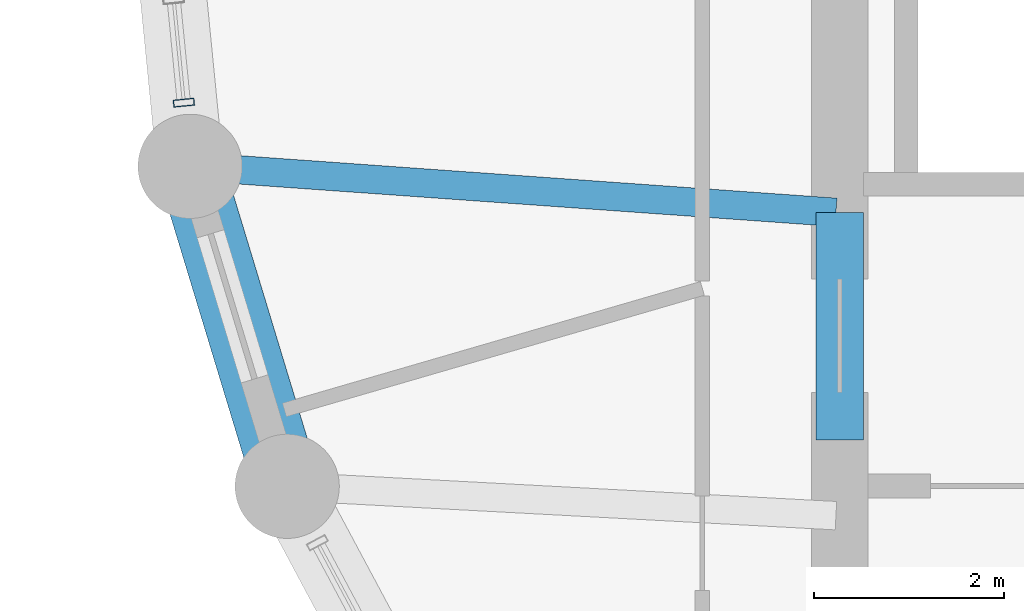
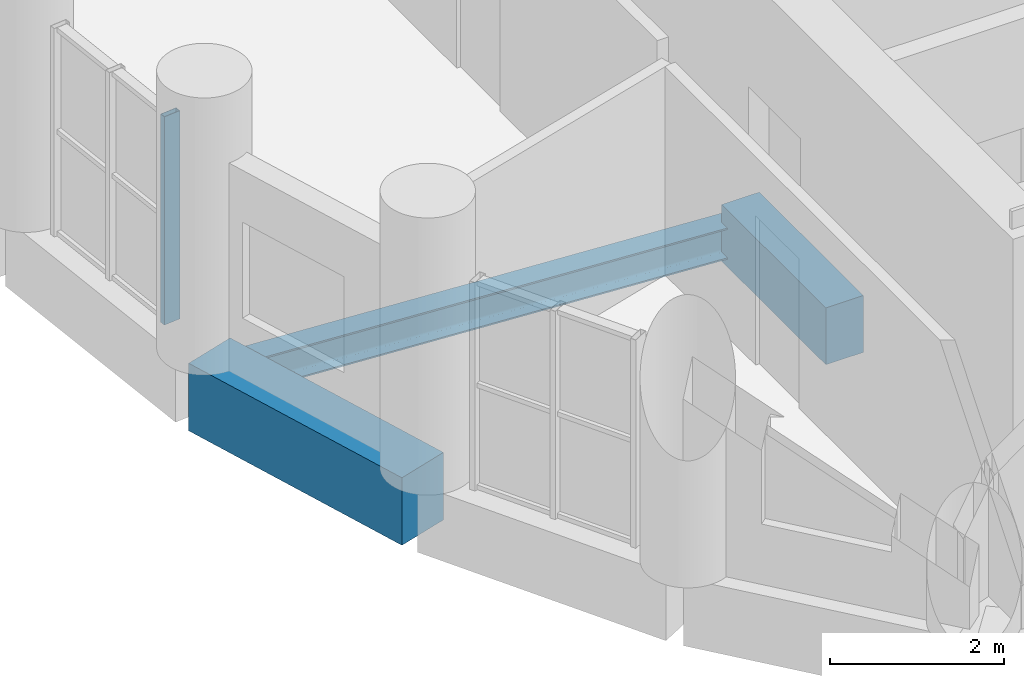
# One storey, part 3 of 13: 3 beams, 1 member, 1 element without a shape of its own.
"""IFC4 building model written with IfcOpenShell, lengths in metres."""

from ifc_helpers import new_model, si_unit, direction, frame, origin, origin_2d, place, context, subcontext, project, spatial, rectangle, hollow_rectangle, i_section, extrude, material, layer, layer_set, material_profile, profile_set, type_object, element, aggregate, save


model = new_model("IFC4")

# Units and contexts
model_context = context("Model", 3, precision=1e-05, world=origin(), true_north=direction((0.0, 1.0)))
body_context = subcontext(model_context, "Body", "Model", "MODEL_VIEW")
ifc_project = project(units=[si_unit("LENGTHUNIT", "METRE"), si_unit("AREAUNIT", "SQUARE_METRE"), si_unit("VOLUMEUNIT", "CUBIC_METRE"), si_unit("PLANEANGLEUNIT", "RADIAN"), si_unit("MASSUNIT", "GRAM", prefix="KILO")], contexts=[model_context])

# Site, building, storey
site_placement = place(None, origin())
site = spatial("IfcSite", under=ifc_project, at=site_placement, CompositionType="ELEMENT")
building_placement = place(site_placement, origin())
building = spatial("IfcBuilding", under=site, at=building_placement, Name="Solnavia Interchange Tower", CompositionType="ELEMENT")
storey_placement = place(building_placement, frame((0.0, 0.0, 87.89990234375)))
storey = spatial("IfcBuildingStorey", under=building, at=storey_placement, Name="L21", CompositionType="ELEMENT", Elevation=87.89990234375)

# Beams
ifc_material_1 = material(Name="Concrete C50/60", Category="concrete")
ifc_material_profile_1 = material_profile(ifc_material_1, rectangle(XDim=0.5, YDim=0.800048828125, at=origin_2d()), Name="RC 500x800")
ifc_profile_set_1 = profile_set([ifc_material_profile_1], Name="Concrete C50/60")
beam_type_1 = type_object("IfcBeamType", Name="Beam-Coupling-RC500x800", PredefinedType="LINTEL", material=ifc_profile_set_1)
beam_1_placement = place(storey_placement, frame((14.39990234375, 15.199951171875, -0.39990234375), z_axis=(0.0, 1.0, 0.0), x_axis=(-1.0, 0.0, 0.0)))
element("IfcBeam", 1, at=beam_1_placement, inside=storey, type_object=beam_type_1, Name="CPB-L21-W1 Core coupling lintel beam", PredefinedType="LINTEL", context=body_context, shape_type="SweptSolid", body=[
    extrude(rectangle(XDim=0.5, YDim=0.800048828125, at=origin_2d()), origin(), (0.0, 0.0, 1.0), 2.400146484375),
])
ifc_material_2 = material(Name="Steel S355", Category="steel")
ifc_material_profile_2 = material_profile(ifc_material_2, i_section(OverallWidth=0.300048828125, OverallDepth=0.43994140625, WebThickness=0.011474609375, FlangeThickness=0.02099609375, FilletRadius=0.027099609375, at=origin_2d()), Name="HEA 450")
ifc_profile_set_2 = profile_set([ifc_material_profile_2], Name="Steel S355")
beam_type_2 = type_object("IfcBeamType", Name="Beam-Primary-HEA450", PredefinedType="BEAM", material=ifc_profile_set_2)
beam_2_placement = place(storey_placement, frame((7.625732421875, 18.082275390625, -0.469970703125), z_axis=(0.99747482749, -0.071020902015, 0.0), x_axis=(0.071020902015, 0.99747482749, 0.0)))
element("IfcBeam", 2, at=beam_2_placement, inside=storey, type_object=beam_type_2, Name="GRD-L21-DR20 Drum radial floor girder", PredefinedType="BEAM", context=body_context, shape_type="SweptSolid", body=[
    extrude(i_section(OverallWidth=0.300048828125, OverallDepth=0.43994140625, WebThickness=0.011474609375, FlangeThickness=0.02099609375, FilletRadius=0.027099609375, at=origin_2d()), origin(), (0.0, 0.0, 1.0), 6.75146484375),
])
ifc_material_profile_3 = material_profile(ifc_material_1, rectangle(XDim=0.699951171875, YDim=0.949951171875, at=origin_2d()), Name="RC 700x950")
ifc_profile_set_3 = profile_set([ifc_material_profile_3], Name="Concrete C50/60")
beam_type_3 = type_object("IfcBeamType", Name="Beam-Spandrel-RC700x950", PredefinedType="SPANDREL", material=ifc_profile_set_3)
beam_3_placement = place(storey_placement, frame((7.569091796875, 18.011474609375, -0.474853515625), z_axis=(0.290319223646, -0.956929855518, 0.0), x_axis=(0.956929855518, 0.290319223646, 0.0)))
element("IfcBeam", 3, at=beam_3_placement, inside=storey, type_object=beam_type_3, Name="SPB-L21-02 Framed-tube perimeter spandrel beam", PredefinedType="SPANDREL", context=body_context, shape_type="SweptSolid", body=[
    extrude(rectangle(XDim=0.699951171875, YDim=0.949951171875, at=origin_2d()), origin(), (0.0, 0.0, 1.0), 3.367919921875),
])

# Curtain wall, member
ifc_material_3 = material(Name="Aluminium Alloy 6063-T6", Category="aluminium")
ifc_layer = layer(ifc_material_3, 0.239990234375)
ifc_layer_set = layer_set([ifc_layer], Name="Aluminium Alloy 6063-T6")
curtain_wall_type = type_object("IfcCurtainWallType", Name="CurtainWall-Drum-CTW2", PredefinedType="NOTDEFINED", material=ifc_layer_set)
curtain_wall_placement = place(storey_placement, origin())
curtain_wall = element("IfcCurtainWall", 4, at=curtain_wall_placement, inside=storey, type_object=curtain_wall_type, Name="CTW-L21-D55 CTW-2 curtain wall", PredefinedType="NOTDEFINED")
ifc_material_profile_4 = material_profile(ifc_material_3, hollow_rectangle(XDim=0.074951171875, YDim=0.219970703125, WallThickness=0.0048828125, at=origin_2d()), Name="ALU 220x75x5")
ifc_profile_set_4 = profile_set([ifc_material_profile_4], Name="Aluminium Alloy 6063-T6")
member_type = type_object("IfcMemberType", Name="CW-Mullion-CWM-2", PredefinedType="MULLION", material=ifc_profile_set_4)
member_placement = place(storey_placement, frame((7.479736328125, 18.759765625, 0.0), z_axis=(0.0, 0.0, 1.0), x_axis=(0.098045297616, -0.995181953019, 0.0)))
member = element("IfcMember", 5, at=member_placement, type_object=member_type, Name="CTW-2 mullion 3", PredefinedType="MULLION", context=body_context, shape_type="SweptSolid", body=[
    extrude(hollow_rectangle(XDim=0.074951171875, YDim=0.219970703125, WallThickness=0.0048828125, at=origin_2d()), origin(), (0.0, 0.0, 1.0), 2.93017578125),
])
aggregate(curtain_wall, [member])

save(model, "model.ifc")
